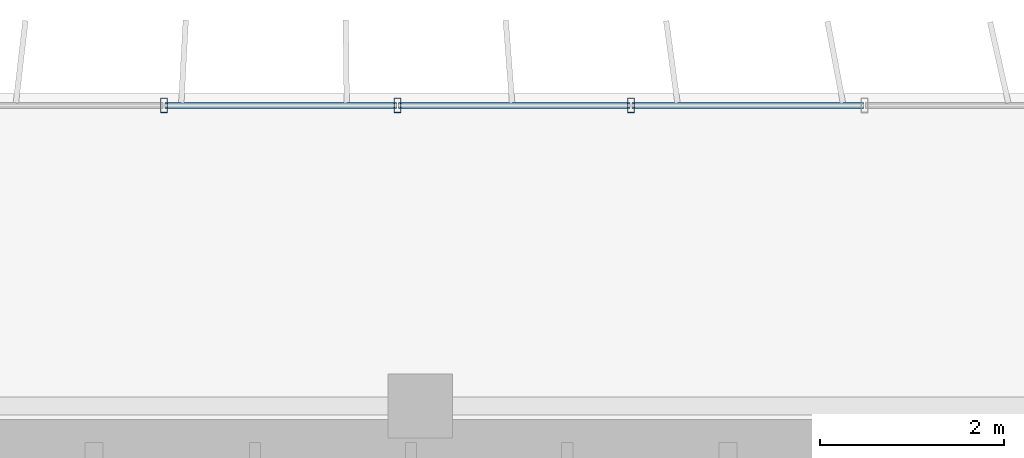
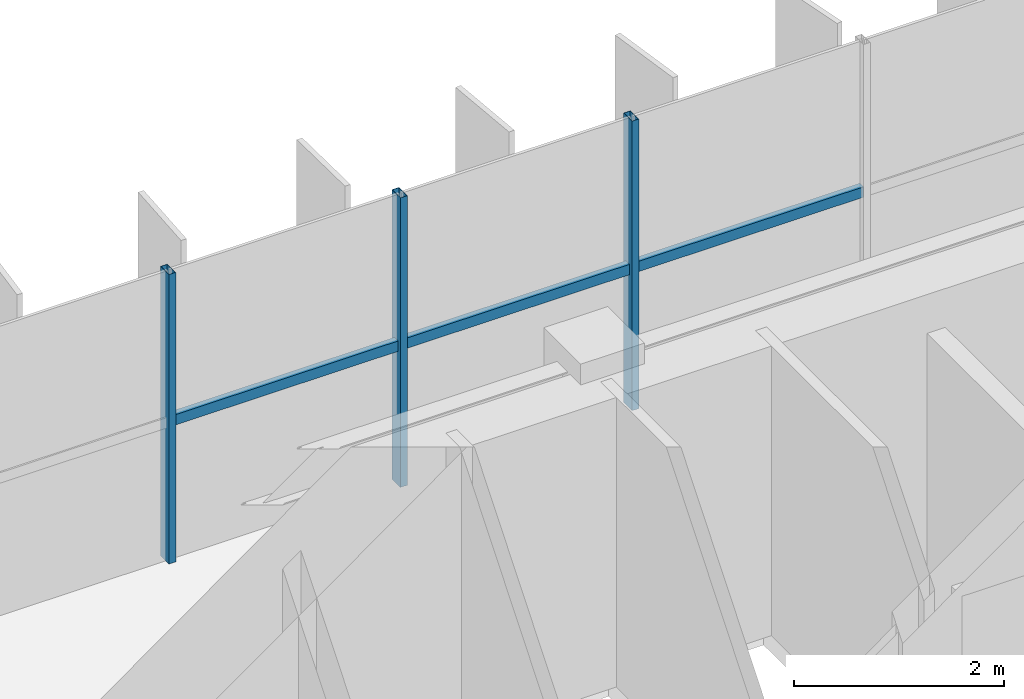
# One storey, part 11 of 23: 6 members, 1 element without a shape of its own.
"""IFC4 building model written with IfcOpenShell, lengths in metres."""

from ifc_helpers import new_model, si_unit, direction, frame, origin, origin_2d, place, context, subcontext, project, spatial, hollow_rectangle, extrude, source, transform, mapped, material, material_profile, profile_set, type_object, element, aggregate, save


model = new_model("IFC4")

# Units and contexts
model_context = context("Model", 3, precision=1e-05, world=origin(), true_north=direction((0.0, 1.0)))
body_context = subcontext(model_context, "Body", "Model", "MODEL_VIEW")
ifc_project = project(units=[si_unit("LENGTHUNIT", "METRE"), si_unit("AREAUNIT", "SQUARE_METRE"), si_unit("VOLUMEUNIT", "CUBIC_METRE"), si_unit("PLANEANGLEUNIT", "RADIAN"), si_unit("MASSUNIT", "GRAM", prefix="KILO")], contexts=[model_context])

# Site, building, storey
site_placement = place(None, origin())
site = spatial("IfcSite", under=ifc_project, at=site_placement, CompositionType="ELEMENT")
building_placement = place(site_placement, origin())
building = spatial("IfcBuilding", under=site, at=building_placement, Name="Trelvane Seafront Commons", CompositionType="ELEMENT")
storey_placement = place(building_placement, frame((0.0, 0.0, 222.89990234375)))
storey = spatial("IfcBuildingStorey", under=building, at=storey_placement, Name="L58", CompositionType="ELEMENT", Elevation=222.89990234375)

# Curtain wall, members
ifc_material = material(Name="Anodised pale-silver aluminium", Category="aluminium")
curtain_wall_type = type_object("IfcCurtainWallType", Name="ARCH-CW5-UPTOWER", PredefinedType="NOTDEFINED", material=ifc_material)
curtain_wall_placement = place(storey_placement, origin())
curtain_wall = element("IfcCurtainWall", 1, at=curtain_wall_placement, inside=storey, type_object=curtain_wall_type, Name="CW-L58-0101", PredefinedType="NOTDEFINED")
ifc_material_profile_1 = material_profile(ifc_material, hollow_rectangle(XDim=0.070068359375, YDim=0.1201171875, WallThickness=0.00390625, at=origin_2d()), Name="TRAN-70x120x4")
ifc_profile_set_1 = profile_set([ifc_material_profile_1], Name="Anodised pale-silver aluminium")
member_type_1 = type_object("IfcMemberType", Name="ARCH-CW-TRAN-120", PredefinedType="USERDEFINED", material=ifc_profile_set_1)
shared_shape_1 = source(origin(), body_context, "Body", "SweptSolid", [
    extrude(hollow_rectangle(XDim=0.070068359375, YDim=0.1201171875, WallThickness=0.00390625, at=origin_2d()), origin(), (0.0, 0.0, 1.0), 2.51708984375),
])
member_1_placement = place(storey_placement, frame((43.56494140625, 48.3701171875, 1.613037109375), z_axis=(1.0, 0.0, 0.0), x_axis=(0.0, 1.0, 0.0)))
member_1 = element("IfcMember", 2, at=member_1_placement, type_object=member_type_1, Name="CW-L58-0101-T11", ObjectType="TRANSOM", PredefinedType="USERDEFINED", context=body_context, shape_type="MappedRepresentation", body=[
    mapped(shared_shape_1, transform((0.0, 0.0, 0.0), x_axis=(1.0, 0.0, 0.0), y_axis=(0.0, 1.0, 0.0), z_axis=(0.0, 0.0, 1.0), scale=1.0)),
])
member_2_placement = place(storey_placement, frame((46.106201171875, 48.3701171875, 1.613037109375), z_axis=(1.0, 0.0, 0.0), x_axis=(0.0, 1.0, 0.0)))
member_2 = element("IfcMember", 3, at=member_2_placement, type_object=member_type_1, Name="CW-L58-0101-T12", ObjectType="TRANSOM", PredefinedType="USERDEFINED", context=body_context, shape_type="MappedRepresentation", body=[
    mapped(shared_shape_1, transform((0.0, 0.0, 0.0), x_axis=(1.0, 0.0, 0.0), y_axis=(0.0, 1.0, 0.0), z_axis=(0.0, 0.0, 1.0), scale=1.0)),
])
shared_shape_2 = source(origin(), body_context, "Body", "SweptSolid", [
    extrude(hollow_rectangle(XDim=0.070068359375, YDim=0.1201171875, WallThickness=0.00390625, at=origin_2d()), origin(), (0.0, 0.0, 1.0), 2.517333984375),
])
member_3_placement = place(storey_placement, frame((41.023681640625, 48.3701171875, 1.613037109375), z_axis=(1.0, 0.0, 0.0), x_axis=(0.0, 1.0, 0.0)))
member_3 = element("IfcMember", 4, at=member_3_placement, type_object=member_type_1, Name="CW-L58-0101-T10", ObjectType="TRANSOM", PredefinedType="USERDEFINED", context=body_context, shape_type="MappedRepresentation", body=[
    mapped(shared_shape_2, transform((0.0, 0.0, 0.0), x_axis=(1.0, 0.0, 0.0), y_axis=(0.0, 1.0, 0.0), z_axis=(0.0, 0.0, 1.0), scale=1.0)),
])
ifc_material_profile_2 = material_profile(ifc_material, hollow_rectangle(XDim=0.074951171875, YDim=0.159912109375, WallThickness=0.00390625, at=origin_2d()), Name="MULL-75x160x4")
ifc_profile_set_2 = profile_set([ifc_material_profile_2], Name="Anodised pale-silver aluminium")
member_type_2 = type_object("IfcMemberType", Name="ARCH-CW-MULL-160", PredefinedType="MULLION", material=ifc_profile_set_2)
shared_shape_3 = source(origin(), body_context, "Body", "SweptSolid", [
    extrude(hollow_rectangle(XDim=0.074951171875, YDim=0.159912109375, WallThickness=0.00390625, at=origin_2d()), origin(), (0.0, 0.0, 1.0), 3.360107421875),
])
member_4_placement = place(storey_placement, frame((41.01171875, 48.3701171875, 0.0), z_axis=(0.0, 0.0, 1.0), x_axis=(1.0, 0.0, 0.0)))
member_4 = element("IfcMember", 5, at=member_4_placement, type_object=member_type_2, Name="CW-L58-0101-M10", PredefinedType="MULLION", context=body_context, shape_type="MappedRepresentation", body=[
    mapped(shared_shape_3, transform((0.0, 0.0, 0.0), x_axis=(1.0, 0.0, 0.0), y_axis=(0.0, 1.0, 0.0), z_axis=(0.0, 0.0, 1.0), scale=1.0)),
])
member_5_placement = place(storey_placement, frame((43.552978515625, 48.3701171875, 0.0), z_axis=(0.0, 0.0, 1.0), x_axis=(1.0, 0.0, 0.0)))
member_5 = element("IfcMember", 6, at=member_5_placement, type_object=member_type_2, Name="CW-L58-0101-M11", PredefinedType="MULLION", context=body_context, shape_type="MappedRepresentation", body=[
    mapped(shared_shape_3, transform((0.0, 0.0, 0.0), x_axis=(1.0, 0.0, 0.0), y_axis=(0.0, 1.0, 0.0), z_axis=(0.0, 0.0, 1.0), scale=1.0)),
])
member_6_placement = place(storey_placement, frame((46.093994140625, 48.3701171875, 0.0), z_axis=(0.0, 0.0, 1.0), x_axis=(1.0, 0.0, 0.0)))
member_6 = element("IfcMember", 7, at=member_6_placement, type_object=member_type_2, Name="CW-L58-0101-M12", PredefinedType="MULLION", context=body_context, shape_type="MappedRepresentation", body=[
    mapped(shared_shape_3, transform((0.0, 0.0, 0.0), x_axis=(1.0, 0.0, 0.0), y_axis=(0.0, 1.0, 0.0), z_axis=(0.0, 0.0, 1.0), scale=1.0)),
])
aggregate(curtain_wall, [member_4, member_5, member_6, member_3, member_1, member_2])

save(model, "model.ifc")
